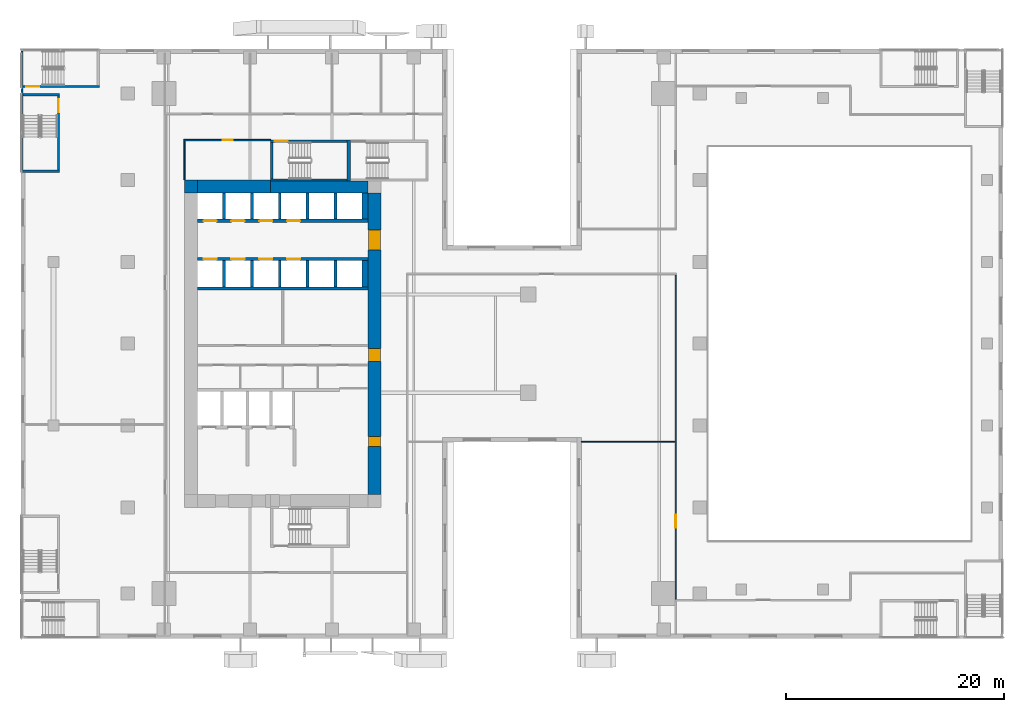
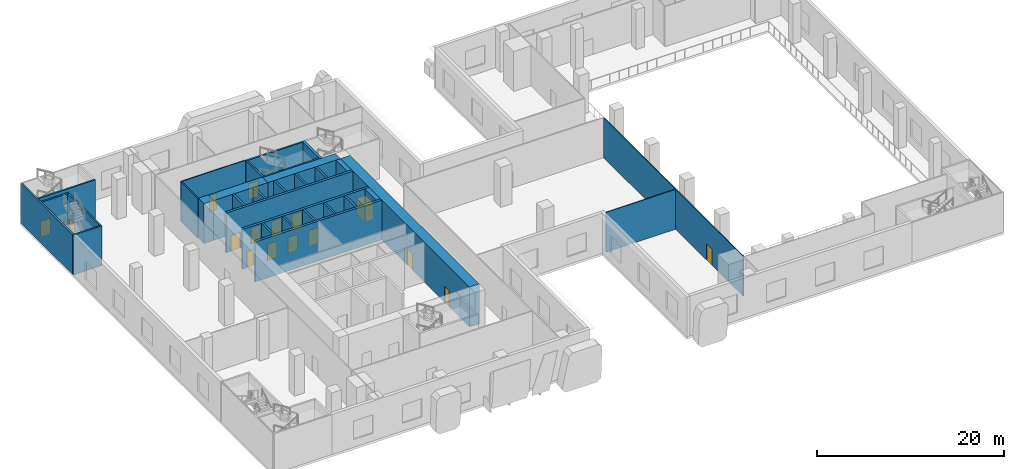
# One storey, part 12 of 23: 32 walls, 16 doors, 16 openings.
"""IFC4 building model written with IfcOpenShell, lengths in metres."""

from ifc_helpers import new_model, si_unit, direction, frame, frame_2d, origin, place, context, subcontext, project, spatial, rectangle, extrude, source, transform, mapped, material, layer, layer_set, type_object, element, fill, save


model = new_model("IFC4")

# Units and contexts
model_context = context("Model", 3, precision=1e-05, world=origin(), true_north=direction((0.0, 1.0)))
body_context = subcontext(model_context, "Body", "Model", "MODEL_VIEW")
ifc_project = project(units=[si_unit("LENGTHUNIT", "METRE"), si_unit("AREAUNIT", "SQUARE_METRE"), si_unit("VOLUMEUNIT", "CUBIC_METRE"), si_unit("PLANEANGLEUNIT", "RADIAN"), si_unit("MASSUNIT", "GRAM", prefix="KILO")], contexts=[model_context])

# Site, building, storey
site_placement = place(None, origin())
site = spatial("IfcSite", under=ifc_project, at=site_placement, CompositionType="ELEMENT")
building_placement = place(site_placement, origin())
building = spatial("IfcBuilding", under=site, at=building_placement, Name="Khomas Fold Tower", CompositionType="ELEMENT")
storey_placement = place(building_placement, frame((0.0, 0.0, 13.0)))
storey = spatial("IfcBuildingStorey", under=building, at=storey_placement, Name="L02", CompositionType="ELEMENT", Elevation=13.0)

# Walls
ifc_material_1 = material(Name="Concrete C70/85", Category="concrete")
ifc_layer_1 = layer(ifc_material_1, 1.199951171875)
ifc_layer_set_1 = layer_set([ifc_layer_1], Name="Concrete C70/85")
wall_type_1 = type_object("IfcWallType", Name="Core wall 1200", PredefinedType="SHEAR", material=ifc_layer_set_1)
shared_shape_1 = source(origin(), body_context, "Body", "SweptSolid", [
    extrude(rectangle(XDim=6.699951171875, YDim=1.199951171875, at=frame_2d((3.35009765625, 0.0))), origin(), (0.0, 0.0, 1.0), 5.199951171875),
])
wall_1_placement = place(storey_placement, frame((7.199951171875, 41.39990234375, 0.0), z_axis=(0.0, 0.0, 1.0), x_axis=(1.0, 0.0, 0.0)))
element("IfcWall", 1, at=wall_1_placement, inside=storey, type_object=wall_type_1, Name="Core wall CW-L-N-B2", PredefinedType="SHEAR", context=body_context, shape_type="MappedRepresentation", body=[
    mapped(shared_shape_1, transform((0.0, 0.0, 0.0))),
])
ifc_material_2 = material(Name="Concrete C70/85", Category="concrete")
ifc_layer_2 = layer(ifc_material_2, 1.10009765625)
ifc_layer_set_2 = layer_set([ifc_layer_2], Name="Concrete C70/85")
wall_type_2 = type_object("IfcWallType", Name="Core wall 1100", PredefinedType="SHEAR", material=ifc_layer_set_2)
shared_shape_2 = source(origin(), body_context, "Body", "SweptSolid", [
    extrude(rectangle(XDim=8.900146484375, YDim=1.10009765625, at=frame_2d((4.4501953125, 0.0))), origin(), (0.0, 0.0, 1.0), 5.199951171875),
])
wall_2_placement = place(storey_placement, frame((13.89990234375, 41.35009765625, 0.0), z_axis=(0.0, 0.0, 1.0), x_axis=(1.0, 0.0, 0.0)))
element("IfcWall", 2, at=wall_2_placement, inside=storey, type_object=wall_type_2, Name="Core wall CW-L-N-B2-1", PredefinedType="SHEAR", context=body_context, shape_type="MappedRepresentation", body=[
    mapped(shared_shape_2, transform((0.0, 0.0, 0.0))),
])
ifc_material_3 = material(Name="Concrete C70/85", Category="concrete")
ifc_layer_3 = layer(ifc_material_3, 1.199951171875)
ifc_layer_set_3 = layer_set([ifc_layer_3], Name="Concrete C70/85")
wall_type_3 = type_object("IfcWallType", Name="Core corner wall 1200", PredefinedType="SHEAR", material=ifc_layer_set_3)
shared_shape_3 = source(origin(), body_context, "Body", "SweptSolid", [
    extrude(rectangle(XDim=1.199951171875, YDim=1.199951171875, at=frame_2d((0.60009765625, 0.0))), origin(), (0.0, 0.0, 1.0), 5.199951171875),
])
wall_3_placement = place(storey_placement, frame((6.0, 41.39990234375, 0.0), z_axis=(0.0, 0.0, 1.0), x_axis=(1.0, 0.0, 0.0)))
element("IfcWall", 3, at=wall_3_placement, inside=storey, type_object=wall_type_3, Name="Core wall CW-L-NW-B2", PredefinedType="SHEAR", context=body_context, shape_type="MappedRepresentation", body=[
    mapped(shared_shape_3, transform((0.0, 0.0, 0.0))),
])

# Wall, openings, doors
shared_shape_4 = source(origin(), body_context, "Body", "SweptSolid", [
    extrude(rectangle(XDim=27.60009765625, YDim=1.199951171875, at=frame_2d((13.800048828125, 0.0))), origin(), (0.0, 0.0, 1.0), 5.199951171875),
])
wall_4_placement = place(storey_placement, frame((23.39990234375, 13.199951171875, 0.0), z_axis=(0.0, 0.0, 1.0), x_axis=(0.0, 1.0, 0.0)))
wall_4 = element("IfcWall", 4, at=wall_4_placement, inside=storey, type_object=wall_type_1, Name="Core wall CW-L-E-B2", PredefinedType="SHEAR", context=body_context, shape_type="MappedRepresentation", body=[
    mapped(shared_shape_4, transform((0.0, 0.0, 0.0))),
])
shared_shape_5 = source(origin(), body_context, "Body", "SweptSolid", [
    extrude(rectangle(XDim=1.800048828125, YDim=2.10009765625, at=frame_2d((0.89990234375, 1.050048828125))), frame((0.0, 0.60986328125, 0.0), z_axis=(0.0, -1.0, 0.0), x_axis=(1.0, 0.0, 0.0)), (0.0, 0.0, 1.0), 1.219970703125),
])
opening_1_placement = place(wall_4_placement, frame((22.39990234375, 0.0, 0.0)))
opening_1 = element("IfcOpeningElement", 5, at=opening_1_placement, cuts=wall_4, Name="Opening 0015", PredefinedType="OPENING", context=body_context, shape_type="MappedRepresentation", body=[
    mapped(shared_shape_5, transform((0.0, 0.0, 0.0))),
])
shared_shape_6 = source(origin(), body_context, "Body", "SweptSolid", [
    extrude(rectangle(XDim=1.199951171875, YDim=2.10009765625, at=frame_2d((0.60009765625, 1.050048828125))), frame((0.0, 0.60986328125, 0.0), z_axis=(0.0, -1.0, 0.0), x_axis=(1.0, 0.0, 0.0)), (0.0, 0.0, 1.0), 1.219970703125),
])
opening_2_placement = place(wall_4_placement, frame((12.14990234375, 0.0, 0.0)))
opening_2 = element("IfcOpeningElement", 6, at=opening_2_placement, cuts=wall_4, Name="Opening 0001", PredefinedType="OPENING", context=body_context, shape_type="MappedRepresentation", body=[
    mapped(shared_shape_6, transform((0.0, 0.0, 0.0))),
])
shared_shape_7 = source(origin(), body_context, "Body", "SweptSolid", [
    extrude(rectangle(XDim=0.89990234375, YDim=2.10009765625, at=frame_2d((0.449951171875, 1.050048828125))), frame((0.0, 0.60986328125, 0.0), z_axis=(0.0, -1.0, 0.0), x_axis=(1.0, 0.0, 0.0)), (0.0, 0.0, 1.0), 1.219970703125),
])
opening_3_placement = place(wall_4_placement, frame((4.39990234375, 0.0, 0.0)))
opening_3 = element("IfcOpeningElement", 7, at=opening_3_placement, cuts=wall_4, Name="Opening 0008", PredefinedType="OPENING", context=body_context, shape_type="MappedRepresentation", body=[
    mapped(shared_shape_7, transform((0.0, 0.0, 0.0))),
])
ifc_material_4 = material(Name="Timber door leaf", Category="wood")
door_type_1 = type_object("IfcDoorType", Name="Door 1200x2100 right-hand", OperationType="SINGLE_SWING_RIGHT", PredefinedType="DOOR", material=ifc_material_4)
shared_shape_8 = source(origin(), body_context, "Body", "SweptSolid", [
    extrude(rectangle(XDim=1.199951171875, YDim=2.10009765625, at=frame_2d((0.60009765625, 1.050048828125))), frame((0.0, 0.5498046875, 0.0), z_axis=(0.0, -1.0, 0.0), x_axis=(1.0, 0.0, 0.0)), (0.0, 0.0, 1.0), 1.099853515625),
])
door_1_placement = place(opening_2_placement, origin())
door_1 = element("IfcDoor", 8, at=door_1_placement, inside=storey, type_object=door_type_1, Name="Door", OperationType="SINGLE_SWING_RIGHT", OverallHeight=2.10009765625, OverallWidth=1.199951171875, PredefinedType="DOOR", context=body_context, shape_type="MappedRepresentation", body=[
    mapped(shared_shape_8, transform((0.0, 0.0, 0.0))),
])
fill(opening_2, door_1)
ifc_material_5 = material(Name="Timber door leaf", Category="wood")
door_type_2 = type_object("IfcDoorType", Name="Door 900x2100 right-hand", OperationType="SINGLE_SWING_RIGHT", PredefinedType="DOOR", material=ifc_material_5)
shared_shape_9 = source(origin(), body_context, "Body", "SweptSolid", [
    extrude(rectangle(XDim=0.89990234375, YDim=2.10009765625, at=frame_2d((0.449951171875, 1.050048828125))), frame((0.0, 0.5498046875, 0.0), z_axis=(0.0, -1.0, 0.0), x_axis=(1.0, 0.0, 0.0)), (0.0, 0.0, 1.0), 1.099853515625),
])
door_2_placement = place(opening_3_placement, origin())
door_2 = element("IfcDoor", 9, at=door_2_placement, inside=storey, type_object=door_type_2, Name="Door", OperationType="SINGLE_SWING_RIGHT", OverallHeight=2.10009765625, OverallWidth=0.89990234375, PredefinedType="DOOR", context=body_context, shape_type="MappedRepresentation", body=[
    mapped(shared_shape_9, transform((0.0, 0.0, 0.0))),
])
fill(opening_3, door_2)
ifc_material_6 = material(Name="Steel door leaf", Category="steel")
door_type_3 = type_object("IfcDoorType", Name="Lobby door 1800x2100", OperationType="DOUBLE_DOOR_SINGLE_SWING", PredefinedType="DOOR", material=ifc_material_6)
shared_shape_10 = source(origin(), body_context, "Body", "SweptSolid", [
    extrude(rectangle(XDim=1.800048828125, YDim=2.10009765625, at=frame_2d((0.89990234375, 1.050048828125))), frame((0.0, 0.5498046875, 0.0), z_axis=(0.0, -1.0, 0.0), x_axis=(1.0, 0.0, 0.0)), (0.0, 0.0, 1.0), 1.099853515625),
])
door_3_placement = place(opening_1_placement, origin())
door_3 = element("IfcDoor", 10, at=door_3_placement, inside=storey, type_object=door_type_3, Name="Lobby door", OperationType="DOUBLE_DOOR_SINGLE_SWING", OverallHeight=2.10009765625, OverallWidth=1.800048828125, PredefinedType="DOOR", context=body_context, shape_type="MappedRepresentation", body=[
    mapped(shared_shape_10, transform((0.0, 0.0, 0.0))),
])
fill(opening_1, door_3)

# Wall, opening, door
ifc_material_7 = material(Name="Concrete C50/60", Category="concrete")
ifc_layer_4 = layer(ifc_material_7, 0.199951171875)
ifc_layer_set_4 = layer_set([ifc_layer_4], Name="Concrete C50/60")
wall_type_4 = type_object("IfcWallType", Name="Stair wall 200", PredefinedType="SHEAR", material=ifc_layer_set_4)
shared_shape_11 = source(origin(), body_context, "Body", "SweptSolid", [
    extrude(rectangle(XDim=7.0, YDim=0.199951171875, at=frame_2d((3.5, 0.0))), origin(), (0.0, 0.0, 1.0), 5.199951171875),
])
wall_5_placement = place(storey_placement, frame((13.89990234375, 45.550048828125, 0.0), z_axis=(0.0, 0.0, 1.0), x_axis=(1.0, 0.0, 0.0)))
wall_5 = element("IfcWall", 11, at=wall_5_placement, inside=storey, type_object=wall_type_4, Name="Stair wall SW-ST1-N", PredefinedType="SHEAR", context=body_context, shape_type="MappedRepresentation", body=[
    mapped(shared_shape_11, transform((0.0, 0.0, 0.0))),
])
shared_shape_12 = source(origin(), body_context, "Body", "SweptSolid", [
    extrude(rectangle(XDim=1.199951171875, YDim=2.10009765625, at=frame_2d((0.60009765625, 1.050048828125))), frame((0.0, 0.10986328125, 0.0), z_axis=(0.0, -1.0, 0.0), x_axis=(1.0, 0.0, 0.0)), (0.0, 0.0, 1.0), 0.219970703125),
])
opening_4_placement = place(wall_5_placement, frame((0.35009765625, 0.0, 0.0)))
opening_4 = element("IfcOpeningElement", 12, at=opening_4_placement, cuts=wall_5, Name="Opening SD-ST1", PredefinedType="OPENING", context=body_context, shape_type="MappedRepresentation", body=[
    mapped(shared_shape_12, transform((0.0, 0.0, 0.0))),
])
ifc_material_8 = material(Name="Steel door leaf", Category="steel")
door_type_4 = type_object("IfcDoorType", Name="Stair door 1200x2100 left-hand", OperationType="SINGLE_SWING_LEFT", PredefinedType="DOOR", material=ifc_material_8)
shared_shape_13 = source(origin(), body_context, "Body", "SweptSolid", [
    extrude(rectangle(XDim=1.199951171875, YDim=2.10009765625, at=frame_2d((0.60009765625, 1.050048828125))), frame((0.0, 0.02490234375, 0.0), z_axis=(0.0, -1.0, 0.0), x_axis=(1.0, 0.0, 0.0)), (0.0, 0.0, 1.0), 0.050048828125),
])
door_4_placement = place(opening_4_placement, origin())
door_4 = element("IfcDoor", 13, at=door_4_placement, inside=storey, type_object=door_type_4, Name="Stair door", OperationType="SINGLE_SWING_LEFT", OverallHeight=2.10009765625, OverallWidth=1.199951171875, PredefinedType="DOOR", context=body_context, shape_type="MappedRepresentation", body=[
    mapped(shared_shape_13, transform((0.0, 0.0, 0.0))),
])
fill(opening_4, door_4)

# Wall
wall_6_placement = place(storey_placement, frame((13.89990234375, 42.0, 0.0), z_axis=(0.0, 0.0, 1.0), x_axis=(1.0, 0.0, 0.0)))
element("IfcWall", 14, at=wall_6_placement, inside=storey, type_object=wall_type_4, Name="Stair wall SW-ST1-S", PredefinedType="SHEAR", context=body_context, shape_type="MappedRepresentation", body=[
    mapped(shared_shape_11, transform((0.0, 0.0, 0.0))),
])

# Wall, opening, door
ifc_material_9 = material(Name="Concrete C30/37", Category="concrete")
ifc_layer_5 = layer(ifc_material_9, 0.199951171875)
ifc_layer_set_5 = layer_set([ifc_layer_5], Name="Concrete C30/37")
wall_type_5 = type_object("IfcWallType", Name="Stair wall PW5 200", PredefinedType="PARTITIONING", material=ifc_layer_set_5)
wall_7_placement = place(storey_placement, frame((-8.800048828125, 50.550048828125, 0.0), z_axis=(0.0, 0.0, 1.0), x_axis=(1.0, 0.0, 0.0)))
wall_7 = element("IfcWall", 15, at=wall_7_placement, inside=storey, type_object=wall_type_5, Name="Stair wall", PredefinedType="PARTITIONING", context=body_context, shape_type="MappedRepresentation", body=[
    mapped(shared_shape_11, transform((0.0, 0.0, 0.0))),
])
opening_5_placement = place(wall_7_placement, frame((0.300048828125, 0.0, 0.0)))
opening_5 = element("IfcOpeningElement", 16, at=opening_5_placement, cuts=wall_7, Name="Opening 0018", PredefinedType="OPENING", context=body_context, shape_type="MappedRepresentation", body=[
    mapped(shared_shape_12, transform((0.0, 0.0, 0.0))),
])
ifc_material_10 = material(Name="Steel door leaf", Category="steel")
door_type_5 = type_object("IfcDoorType", Name="Stair door 1200x2100 right-hand", OperationType="SINGLE_SWING_RIGHT", PredefinedType="DOOR", material=ifc_material_10)
door_5_placement = place(opening_5_placement, origin())
door_5 = element("IfcDoor", 17, at=door_5_placement, inside=storey, type_object=door_type_5, Name="Stair door", OperationType="SINGLE_SWING_RIGHT", OverallHeight=2.10009765625, OverallWidth=1.199951171875, PredefinedType="DOOR", context=body_context, shape_type="MappedRepresentation", body=[
    mapped(shared_shape_13, transform((0.0, 0.0, 0.0))),
])
fill(opening_5, door_5)

# Walls
ifc_material_11 = material(Name="Concrete C50/60", Category="concrete")
ifc_layer_6 = layer(ifc_material_11, 0.300048828125)
ifc_layer_set_6 = layer_set([ifc_layer_6], Name="Concrete C50/60")
wall_type_6 = type_object("IfcWallType", Name="Stair wall 300", PredefinedType="SHEAR", material=ifc_layer_set_6)
shared_shape_14 = source(origin(), body_context, "Body", "SweptSolid", [
    extrude(rectangle(XDim=3.75, YDim=0.300048828125, at=frame_2d((1.875, 0.0))), origin(), (0.0, 0.0, 1.0), 5.199951171875),
])
wall_8_placement = place(storey_placement, frame((21.050048828125, 41.89990234375, 0.0), z_axis=(0.0, 0.0, 1.0), x_axis=(0.0, 1.0, 0.0)))
element("IfcWall", 18, at=wall_8_placement, inside=storey, type_object=wall_type_6, Name="Stair wall SW-ST1-E", PredefinedType="SHEAR", context=body_context, shape_type="MappedRepresentation", body=[
    mapped(shared_shape_14, transform((0.0, 0.0, 0.0))),
])
shared_shape_15 = source(origin(), body_context, "Body", "SweptSolid", [
    extrude(rectangle(XDim=3.349853515625, YDim=0.199951171875, at=frame_2d((1.6748046875, 0.0))), origin(), (0.0, 0.0, 1.0), 5.199951171875),
])
wall_9_placement = place(storey_placement, frame((14.0, 42.10009765625, 0.0), z_axis=(0.0, 0.0, 1.0), x_axis=(0.0, 1.0, 0.0)))
element("IfcWall", 19, at=wall_9_placement, inside=storey, type_object=wall_type_4, Name="Stair wall SW-ST1-W", PredefinedType="SHEAR", context=body_context, shape_type="MappedRepresentation", body=[
    mapped(shared_shape_15, transform((0.0, 0.0, 0.0))),
])
ifc_material_12 = material(Name="Concrete C50/60", Category="concrete")
ifc_layer_7 = layer(ifc_material_12, 0.300048828125)
ifc_layer_set_7 = layer_set([ifc_layer_7], Name="Concrete C50/60")
wall_type_7 = type_object("IfcWallType", Name="Shaft wall 300", PredefinedType="STANDARD", material=ifc_layer_set_7)
shared_shape_16 = source(origin(), body_context, "Body", "SweptSolid", [
    extrude(rectangle(XDim=15.60009765625, YDim=0.300048828125, at=frame_2d((7.800048828125, 0.0))), origin(), (0.0, 0.0, 1.0), 5.199951171875),
])
wall_10_placement = place(storey_placement, frame((7.199951171875, 32.050048828125, 0.0), z_axis=(0.0, 0.0, 1.0), x_axis=(1.0, 0.0, 0.0)))
element("IfcWall", 20, at=wall_10_placement, inside=storey, type_object=wall_type_7, Name="Core wall SW-HRN-B", PredefinedType="STANDARD", context=body_context, shape_type="MappedRepresentation", body=[
    mapped(shared_shape_16, transform((0.0, 0.0, 0.0))),
])

# Wall, openings, doors
wall_11_placement = place(storey_placement, frame((7.199951171875, 38.25, 0.0), z_axis=(0.0, 0.0, 1.0), x_axis=(1.0, 0.0, 0.0)))
wall_11 = element("IfcWall", 21, at=wall_11_placement, inside=storey, type_object=wall_type_7, Name="Core wall SW-LRN-F", PredefinedType="STANDARD", context=body_context, shape_type="MappedRepresentation", body=[
    mapped(shared_shape_16, transform((0.0, 0.0, 0.0))),
])
shared_shape_17 = source(origin(), body_context, "Body", "SweptSolid", [
    extrude(rectangle(XDim=1.199951171875, YDim=2.10009765625, at=frame_2d((0.60009765625, 1.050048828125))), frame((0.0, 0.159912109375, 0.0), z_axis=(0.0, -1.0, 0.0), x_axis=(1.0, 0.0, 0.0)), (0.0, 0.0, 1.0), 0.320068359375),
])
opening_6_placement = place(wall_11_placement, frame((0.550048828125, 0.0, 0.0)))
opening_6 = element("IfcOpeningElement", 22, at=opening_6_placement, cuts=wall_11, Name="Opening LD-LR5", PredefinedType="OPENING", context=body_context, shape_type="MappedRepresentation", body=[
    mapped(shared_shape_17, transform((0.0, 0.0, 0.0))),
])
opening_7_placement = place(wall_11_placement, frame((3.10009765625, 0.0, 0.0)))
opening_7 = element("IfcOpeningElement", 23, at=opening_7_placement, cuts=wall_11, Name="Opening LD-LR6", PredefinedType="OPENING", context=body_context, shape_type="MappedRepresentation", body=[
    mapped(shared_shape_17, transform((0.0, 0.0, 0.0))),
])
opening_8_placement = place(wall_11_placement, frame((5.64990234375, 0.0, 0.0)))
opening_8 = element("IfcOpeningElement", 24, at=opening_8_placement, cuts=wall_11, Name="Opening LD-LR7", PredefinedType="OPENING", context=body_context, shape_type="MappedRepresentation", body=[
    mapped(shared_shape_17, transform((0.0, 0.0, 0.0))),
])
opening_9_placement = place(wall_11_placement, frame((8.199951171875, 0.0, 0.0)))
opening_9 = element("IfcOpeningElement", 25, at=opening_9_placement, cuts=wall_11, Name="Opening LD-LR8", PredefinedType="OPENING", context=body_context, shape_type="MappedRepresentation", body=[
    mapped(shared_shape_17, transform((0.0, 0.0, 0.0))),
])
ifc_material_13 = material(Name="Steel door leaf", Category="steel")
door_type_6 = type_object("IfcDoorType", Name="Landing door 1200x2100", OperationType="DOUBLE_DOOR_SLIDING", PredefinedType="DOOR", material=ifc_material_13)
door_6_placement = place(opening_6_placement, origin())
door_6 = element("IfcDoor", 26, at=door_6_placement, inside=storey, type_object=door_type_6, Name="Lift landing door", OperationType="DOUBLE_DOOR_SLIDING", OverallHeight=2.10009765625, OverallWidth=1.199951171875, PredefinedType="DOOR", context=body_context, shape_type="MappedRepresentation", body=[
    mapped(shared_shape_13, transform((0.0, 0.0, 0.0))),
])
fill(opening_6, door_6)
door_7_placement = place(opening_7_placement, origin())
door_7 = element("IfcDoor", 27, at=door_7_placement, inside=storey, type_object=door_type_6, Name="Lift landing door", OperationType="DOUBLE_DOOR_SLIDING", OverallHeight=2.10009765625, OverallWidth=1.199951171875, PredefinedType="DOOR", context=body_context, shape_type="MappedRepresentation", body=[
    mapped(shared_shape_13, transform((0.0, 0.0, 0.0))),
])
fill(opening_7, door_7)
door_8_placement = place(opening_8_placement, origin())
door_8 = element("IfcDoor", 28, at=door_8_placement, inside=storey, type_object=door_type_6, Name="Lift landing door", OperationType="DOUBLE_DOOR_SLIDING", OverallHeight=2.10009765625, OverallWidth=1.199951171875, PredefinedType="DOOR", context=body_context, shape_type="MappedRepresentation", body=[
    mapped(shared_shape_13, transform((0.0, 0.0, 0.0))),
])
fill(opening_8, door_8)
door_9_placement = place(opening_9_placement, origin())
door_9 = element("IfcDoor", 29, at=door_9_placement, inside=storey, type_object=door_type_6, Name="Lift landing door", OperationType="DOUBLE_DOOR_SLIDING", OverallHeight=2.10009765625, OverallWidth=1.199951171875, PredefinedType="DOOR", context=body_context, shape_type="MappedRepresentation", body=[
    mapped(shared_shape_13, transform((0.0, 0.0, 0.0))),
])
fill(opening_9, door_9)

wall_12_placement = place(storey_placement, frame((7.199951171875, 34.75, 0.0), z_axis=(0.0, 0.0, 1.0), x_axis=(1.0, 0.0, 0.0)))
wall_12 = element("IfcWall", 30, at=wall_12_placement, inside=storey, type_object=wall_type_7, Name="Core wall SW-LRS-F", PredefinedType="STANDARD", context=body_context, shape_type="MappedRepresentation", body=[
    mapped(shared_shape_16, transform((0.0, 0.0, 0.0))),
])
opening_10_placement = place(wall_12_placement, frame((0.550048828125, 0.0, 0.0)))
opening_10 = element("IfcOpeningElement", 31, at=opening_10_placement, cuts=wall_12, Name="Opening LD-LR1", PredefinedType="OPENING", context=body_context, shape_type="MappedRepresentation", body=[
    mapped(shared_shape_17, transform((0.0, 0.0, 0.0))),
])
opening_11_placement = place(wall_12_placement, frame((3.10009765625, 0.0, 0.0)))
opening_11 = element("IfcOpeningElement", 32, at=opening_11_placement, cuts=wall_12, Name="Opening LD-LR2", PredefinedType="OPENING", context=body_context, shape_type="MappedRepresentation", body=[
    mapped(shared_shape_17, transform((0.0, 0.0, 0.0))),
])
opening_12_placement = place(wall_12_placement, frame((5.64990234375, 0.0, 0.0)))
opening_12 = element("IfcOpeningElement", 33, at=opening_12_placement, cuts=wall_12, Name="Opening LD-LR3", PredefinedType="OPENING", context=body_context, shape_type="MappedRepresentation", body=[
    mapped(shared_shape_17, transform((0.0, 0.0, 0.0))),
])
opening_13_placement = place(wall_12_placement, frame((8.199951171875, 0.0, 0.0)))
opening_13 = element("IfcOpeningElement", 34, at=opening_13_placement, cuts=wall_12, Name="Opening LD-LR4", PredefinedType="OPENING", context=body_context, shape_type="MappedRepresentation", body=[
    mapped(shared_shape_17, transform((0.0, 0.0, 0.0))),
])
door_10_placement = place(opening_10_placement, origin())
door_10 = element("IfcDoor", 35, at=door_10_placement, inside=storey, type_object=door_type_6, Name="Lift landing door", OperationType="DOUBLE_DOOR_SLIDING", OverallHeight=2.10009765625, OverallWidth=1.199951171875, PredefinedType="DOOR", context=body_context, shape_type="MappedRepresentation", body=[
    mapped(shared_shape_13, transform((0.0, 0.0, 0.0))),
])
fill(opening_10, door_10)
door_11_placement = place(opening_11_placement, origin())
door_11 = element("IfcDoor", 36, at=door_11_placement, inside=storey, type_object=door_type_6, Name="Lift landing door", OperationType="DOUBLE_DOOR_SLIDING", OverallHeight=2.10009765625, OverallWidth=1.199951171875, PredefinedType="DOOR", context=body_context, shape_type="MappedRepresentation", body=[
    mapped(shared_shape_13, transform((0.0, 0.0, 0.0))),
])
fill(opening_11, door_11)
door_12_placement = place(opening_12_placement, origin())
door_12 = element("IfcDoor", 37, at=door_12_placement, inside=storey, type_object=door_type_6, Name="Lift landing door", OperationType="DOUBLE_DOOR_SLIDING", OverallHeight=2.10009765625, OverallWidth=1.199951171875, PredefinedType="DOOR", context=body_context, shape_type="MappedRepresentation", body=[
    mapped(shared_shape_13, transform((0.0, 0.0, 0.0))),
])
fill(opening_12, door_12)
door_13_placement = place(opening_13_placement, origin())
door_13 = element("IfcDoor", 38, at=door_13_placement, inside=storey, type_object=door_type_6, Name="Lift landing door", OperationType="DOUBLE_DOOR_SLIDING", OverallHeight=2.10009765625, OverallWidth=1.199951171875, PredefinedType="DOOR", context=body_context, shape_type="MappedRepresentation", body=[
    mapped(shared_shape_13, transform((0.0, 0.0, 0.0))),
])
fill(opening_13, door_13)

# Walls
ifc_material_14 = material(Name="Concrete C50/60", Category="concrete")
ifc_layer_8 = layer(ifc_material_14, 0.25)
ifc_layer_set_8 = layer_set([ifc_layer_8], Name="Concrete C50/60")
wall_type_8 = type_object("IfcWallType", Name="Shaft wall 250", PredefinedType="STANDARD", material=ifc_layer_set_8)
shared_shape_18 = source(origin(), body_context, "Body", "SweptSolid", [
    extrude(rectangle(XDim=2.400146484375, YDim=0.25, at=frame_2d((1.2001953125, 0.0))), origin(), (0.0, 0.0, 1.0), 5.199951171875),
])
for number, where, z_axis, x_axis, name in (
    (39, (9.625, 38.39990234375, 0.0), (0.0, 0.0, 1.0), (0.0, 1.0, 0.0), "Core wall SW-LRN-P1"),
    (40, (12.175048828125, 38.39990234375, 0.0), (0.0, 0.0, 1.0), (0.0, 1.0, 0.0), "Core wall SW-LRN-P2"),
    (41, (14.72509765625, 38.39990234375, 0.0), (0.0, 0.0, 1.0), (0.0, 1.0, 0.0), "Core wall SW-LRN-P3"),
    (42, (17.27490234375, 38.39990234375, 0.0), (0.0, 0.0, 1.0), (0.0, 1.0, 0.0), "Core wall SW-LRN-P4"),
    (43, (19.824951171875, 38.39990234375, 0.0), (0.0, 0.0, 1.0), (0.0, 1.0, 0.0), "Core wall SW-LRN-P5"),
    (44, (9.625, 32.199951171875, 0.0), (0.0, 0.0, 1.0), (0.0, 1.0, 0.0), "Core wall SW-LRS-P1"),
    (45, (12.175048828125, 32.199951171875, 0.0), (0.0, 0.0, 1.0), (0.0, 1.0, 0.0), "Core wall SW-LRS-P2"),
    (46, (14.72509765625, 32.199951171875, 0.0), (0.0, 0.0, 1.0), (0.0, 1.0, 0.0), "Core wall SW-LRS-P3"),
    (47, (17.27490234375, 32.199951171875, 0.0), (0.0, 0.0, 1.0), (0.0, 1.0, 0.0), "Core wall SW-LRS-P4"),
    (48, (19.824951171875, 32.199951171875, 0.0), (0.0, 0.0, 1.0), (0.0, 1.0, 0.0), "Core wall SW-LRS-P5"),
):
    element("IfcWall", number, at=place(storey_placement, frame(where, z_axis=z_axis, x_axis=x_axis)), inside=storey, type_object=wall_type_8, Name=name, PredefinedType="STANDARD", context=body_context, shape_type="MappedRepresentation", body=[
        mapped(shared_shape_18, transform((0.0, 0.0, 0.0))),
    ])
ifc_material_15 = material(Name="Concrete C50/60", Category="concrete")
ifc_layer_9 = layer(ifc_material_15, 0.550048828125)
ifc_layer_set_9 = layer_set([ifc_layer_9], Name="Concrete C50/60")
wall_type_9 = type_object("IfcWallType", Name="Shaft wall 550", PredefinedType="STANDARD", material=ifc_layer_set_9)
shared_shape_19 = source(origin(), body_context, "Body", "SweptSolid", [
    extrude(rectangle(XDim=2.400146484375, YDim=0.550048828125, at=frame_2d((1.2001953125, 0.0))), origin(), (0.0, 0.0, 1.0), 5.199951171875),
])
for number, where, z_axis, x_axis, name in (
    (49, (22.52490234375, 38.39990234375, 0.0), (0.0, 0.0, 1.0), (0.0, 1.0, 0.0), "Core wall SW-LRN-PE"),
    (50, (22.52490234375, 32.199951171875, 0.0), (0.0, 0.0, 1.0), (0.0, 1.0, 0.0), "Core wall SW-LRS-PE"),
):
    element("IfcWall", number, at=place(storey_placement, frame(where, z_axis=z_axis, x_axis=x_axis)), inside=storey, type_object=wall_type_9, Name=name, PredefinedType="STANDARD", context=body_context, shape_type="MappedRepresentation", body=[
        mapped(shared_shape_19, transform((0.0, 0.0, 0.0))),
    ])
shared_shape_20 = source(origin(), body_context, "Body", "SweptSolid", [
    extrude(rectangle(XDim=10.900146484375, YDim=0.199951171875, at=frame_2d((5.4501953125, 0.0))), origin(), (0.0, 0.0, 1.0), 5.199951171875),
])
wall_13_placement = place(storey_placement, frame((-8.89990234375, 42.89990234375, 0.0), z_axis=(0.0, 0.0, 1.0), x_axis=(0.0, 1.0, 0.0)))
element("IfcWall", 51, at=wall_13_placement, inside=storey, type_object=wall_type_5, Name="Stair wall", PredefinedType="PARTITIONING", context=body_context, shape_type="MappedRepresentation", body=[
    mapped(shared_shape_20, transform((0.0, 0.0, 0.0))),
])
shared_shape_21 = source(origin(), body_context, "Body", "SweptSolid", [
    extrude(rectangle(XDim=3.35009765625, YDim=0.199951171875, at=frame_2d((1.675048828125, 0.0))), origin(), (0.0, 0.0, 1.0), 5.199951171875),
])
wall_14_placement = place(storey_placement, frame((-8.800048828125, 49.800048828125, 0.0), z_axis=(0.0, 0.0, 1.0), x_axis=(1.0, 0.0, 0.0)))
element("IfcWall", 52, at=wall_14_placement, inside=storey, type_object=wall_type_5, Name="Stair wall", PredefinedType="PARTITIONING", context=body_context, shape_type="MappedRepresentation", body=[
    mapped(shared_shape_21, transform((0.0, 0.0, 0.0))),
])
shared_shape_22 = source(origin(), body_context, "Body", "SweptSolid", [
    extrude(rectangle(XDim=3.550048828125, YDim=0.199951171875, at=frame_2d((1.77490234375, 0.0))), origin(), (0.0, 0.0, 1.0), 5.199951171875),
])
wall_15_placement = place(storey_placement, frame((-9.0, 42.800048828125, 0.0), z_axis=(0.0, 0.0, 1.0), x_axis=(1.0, 0.0, 0.0)))
element("IfcWall", 53, at=wall_15_placement, inside=storey, type_object=wall_type_5, Name="Stair wall", PredefinedType="PARTITIONING", context=body_context, shape_type="MappedRepresentation", body=[
    mapped(shared_shape_22, transform((0.0, 0.0, 0.0))),
])

# Wall, opening, door
shared_shape_23 = source(origin(), body_context, "Body", "SweptSolid", [
    extrude(rectangle(XDim=6.800048828125, YDim=0.199951171875, at=frame_2d((3.39990234375, 0.0))), origin(), (0.0, 0.0, 1.0), 5.199951171875),
])
wall_16_placement = place(storey_placement, frame((-5.550048828125, 42.89990234375, 0.0), z_axis=(0.0, 0.0, 1.0), x_axis=(0.0, 1.0, 0.0)))
wall_16 = element("IfcWall", 54, at=wall_16_placement, inside=storey, type_object=wall_type_5, Name="Stair wall", PredefinedType="PARTITIONING", context=body_context, shape_type="MappedRepresentation", body=[
    mapped(shared_shape_23, transform((0.0, 0.0, 0.0))),
])
opening_14_placement = place(wall_16_placement, frame((5.300048828125, 0.0, 0.0)))
opening_14 = element("IfcOpeningElement", 55, at=opening_14_placement, cuts=wall_16, Name="Opening 0017", PredefinedType="OPENING", context=body_context, shape_type="MappedRepresentation", body=[
    mapped(shared_shape_12, transform((0.0, 0.0, 0.0))),
])
door_14_placement = place(opening_14_placement, origin())
door_14 = element("IfcDoor", 56, at=door_14_placement, inside=storey, type_object=door_type_4, Name="Stair door", OperationType="SINGLE_SWING_LEFT", OverallHeight=2.10009765625, OverallWidth=1.199951171875, PredefinedType="DOOR", context=body_context, shape_type="MappedRepresentation", body=[
    mapped(shared_shape_13, transform((0.0, 0.0, 0.0))),
])
fill(opening_14, door_14)

ifc_material_16 = material(Name="Plasterboard partition")
ifc_layer_10 = layer(ifc_material_16, 0.125)
ifc_layer_set_10 = layer_set([ifc_layer_10], Name="Plasterboard partition")
wall_type_10 = type_object("IfcWallType", Name="Partition PW2 125", PredefinedType="PARTITIONING", material=ifc_layer_set_10)
shared_shape_24 = source(origin(), body_context, "Body", "SweptSolid", [
    extrude(rectangle(XDim=29.699951171875, YDim=0.125, at=frame_2d((14.85009765625, 0.0))), origin(), (0.0, 0.0, 1.0), 5.199951171875),
])
wall_17_placement = place(storey_placement, frame((51.0, 3.60009765625, 0.0), z_axis=(0.0, 0.0, 1.0), x_axis=(0.0, 1.0, 0.0)))
wall_17 = element("IfcWall", 57, at=wall_17_placement, inside=storey, type_object=wall_type_10, Name="Partition", PredefinedType="PARTITIONING", context=body_context, shape_type="MappedRepresentation", body=[
    mapped(shared_shape_24, transform((0.0, 0.0, 0.0))),
])
shared_shape_25 = source(origin(), body_context, "Body", "SweptSolid", [
    extrude(rectangle(XDim=1.199951171875, YDim=2.10009765625, at=frame_2d((0.60009765625, 1.050048828125))), frame((0.0, 0.072509765625, 0.0), z_axis=(0.0, -1.0, 0.0), x_axis=(1.0, 0.0, 0.0)), (0.0, 0.0, 1.0), 0.14501953125),
])
opening_15_placement = place(wall_17_placement, frame((6.550048828125, 0.0, 0.0)))
opening_15 = element("IfcOpeningElement", 58, at=opening_15_placement, cuts=wall_17, Name="Opening 0001", PredefinedType="OPENING", context=body_context, shape_type="MappedRepresentation", body=[
    mapped(shared_shape_25, transform((0.0, 0.0, 0.0))),
])
door_15_placement = place(opening_15_placement, origin())
door_15 = element("IfcDoor", 59, at=door_15_placement, inside=storey, type_object=door_type_1, Name="Door", OperationType="SINGLE_SWING_RIGHT", OverallHeight=2.10009765625, OverallWidth=1.199951171875, PredefinedType="DOOR", context=body_context, shape_type="MappedRepresentation", body=[
    mapped(shared_shape_13, transform((0.0, 0.0, 0.0))),
])
fill(opening_15, door_15)

# Wall
shared_shape_26 = source(origin(), body_context, "Body", "SweptSolid", [
    extrude(rectangle(XDim=3.550048828125, YDim=0.125, at=frame_2d((1.77490234375, 0.0))), origin(), (0.0, 0.0, 1.0), 5.199951171875),
])
wall_18_placement = place(storey_placement, frame((6.0, 42.0, 0.0), z_axis=(0.0, 0.0, 1.0), x_axis=(0.0, 1.0, 0.0)))
element("IfcWall", 60, at=wall_18_placement, inside=storey, type_object=wall_type_10, Name="Partition", PredefinedType="PARTITIONING", context=body_context, shape_type="MappedRepresentation", body=[
    mapped(shared_shape_26, transform((0.0, 0.0, 0.0))),
])

# Wall, opening, door
shared_shape_27 = source(origin(), body_context, "Body", "SweptSolid", [
    extrude(rectangle(XDim=7.949951171875, YDim=0.125, at=frame_2d((3.97509765625, 0.0))), origin(), (0.0, 0.0, 1.0), 5.199951171875),
])
wall_19_placement = place(storey_placement, frame((5.949951171875, 45.64990234375, 0.0), z_axis=(0.0, 0.0, 1.0), x_axis=(1.0, 0.0, 0.0)))
wall_19 = element("IfcWall", 61, at=wall_19_placement, inside=storey, type_object=wall_type_10, Name="Partition", PredefinedType="PARTITIONING", context=body_context, shape_type="MappedRepresentation", body=[
    mapped(shared_shape_27, transform((0.0, 0.0, 0.0))),
])
shared_shape_28 = source(origin(), body_context, "Body", "SweptSolid", [
    extrude(rectangle(XDim=0.89990234375, YDim=2.10009765625, at=frame_2d((0.449951171875, 1.050048828125))), frame((0.0, 0.072509765625, 0.0), z_axis=(0.0, -1.0, 0.0), x_axis=(1.0, 0.0, 0.0)), (0.0, 0.0, 1.0), 0.14501953125),
])
opening_16_placement = place(wall_19_placement, frame((3.550048828125, 0.0, 0.0)))
opening_16 = element("IfcOpeningElement", 62, at=opening_16_placement, cuts=wall_19, Name="Opening 0007", PredefinedType="OPENING", context=body_context, shape_type="MappedRepresentation", body=[
    mapped(shared_shape_28, transform((0.0, 0.0, 0.0))),
])
ifc_material_17 = material(Name="Timber door leaf", Category="wood")
door_type_7 = type_object("IfcDoorType", Name="Door 900x2100 left-hand", OperationType="SINGLE_SWING_LEFT", PredefinedType="DOOR", material=ifc_material_17)
shared_shape_29 = source(origin(), body_context, "Body", "SweptSolid", [
    extrude(rectangle(XDim=0.89990234375, YDim=2.10009765625, at=frame_2d((0.449951171875, 1.050048828125))), frame((0.0, 0.02490234375, 0.0), z_axis=(0.0, -1.0, 0.0), x_axis=(1.0, 0.0, 0.0)), (0.0, 0.0, 1.0), 0.050048828125),
])
door_16_placement = place(opening_16_placement, origin())
door_16 = element("IfcDoor", 63, at=door_16_placement, inside=storey, type_object=door_type_7, Name="Door", OperationType="SINGLE_SWING_LEFT", OverallHeight=2.10009765625, OverallWidth=0.89990234375, PredefinedType="DOOR", context=body_context, shape_type="MappedRepresentation", body=[
    mapped(shared_shape_29, transform((0.0, 0.0, 0.0))),
])
fill(opening_16, door_16)

# Wall
ifc_material_18 = material(Name="Plasterboard partition")
ifc_layer_11 = layer(ifc_material_18, 0.10009765625)
ifc_layer_set_11 = layer_set([ifc_layer_11], Name="Plasterboard partition")
wall_type_11 = type_object("IfcWallType", Name="Partition PW1 100", PredefinedType="PARTITIONING", material=ifc_layer_set_11)
shared_shape_30 = source(origin(), body_context, "Body", "SweptSolid", [
    extrude(rectangle(XDim=8.5498046875, YDim=0.10009765625, at=frame_2d((4.27490234375, 0.0))), origin(), (0.0, 0.0, 1.0), 5.199951171875),
])
wall_20_placement = place(storey_placement, frame((42.35009765625, 18.0, 0.0), z_axis=(0.0, 0.0, 1.0), x_axis=(1.0, 0.0, 0.0)))
element("IfcWall", 64, at=wall_20_placement, inside=storey, type_object=wall_type_11, Name="Partition", PredefinedType="PARTITIONING", context=body_context, shape_type="MappedRepresentation", body=[
    mapped(shared_shape_30, transform((0.0, 0.0, 0.0))),
])

save(model, "model.ifc")
